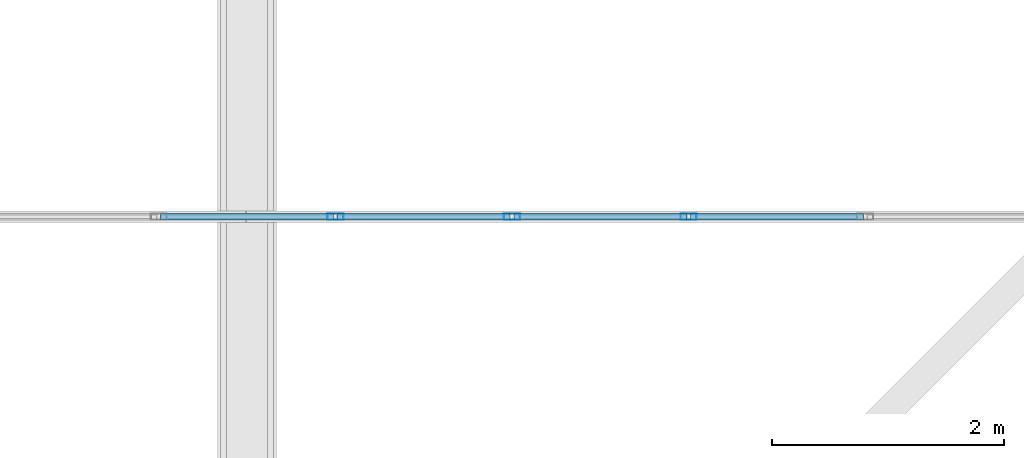
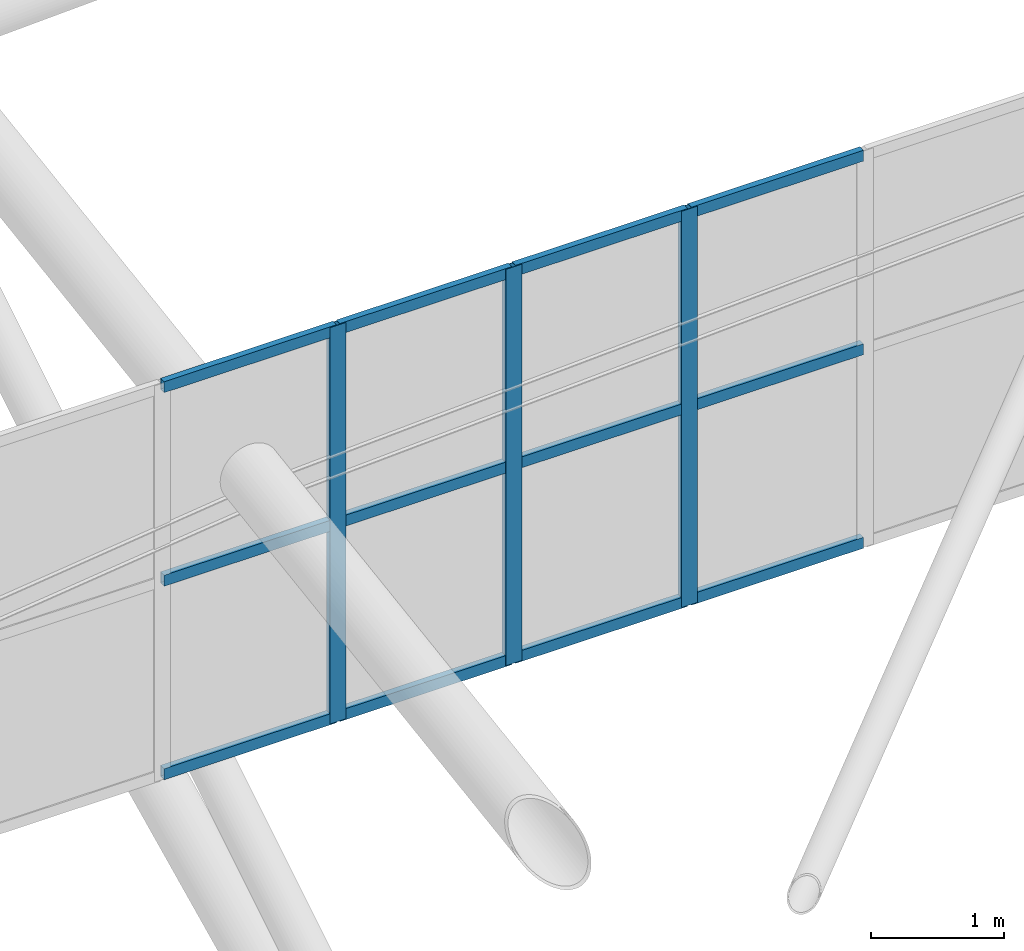
# One storey, part 34 of 397: 15 members, 1 element without a shape of its own.
"""IFC4 building model written with IfcOpenShell, lengths in metres."""

from ifc_helpers import new_model, si_unit, direction, frame, origin, origin_2d, place, context, subcontext, project, spatial, hollow_rectangle, extrude, material, material_profile, profile_set, type_object, element, aggregate, save


model = new_model("IFC4")

# Units and contexts
model_context = context("Model", 3, precision=1e-05, world=origin(), true_north=direction((0.0, 1.0)))
body_context = subcontext(model_context, "Body", "Model", "MODEL_VIEW")
ifc_project = project(units=[si_unit("LENGTHUNIT", "METRE"), si_unit("AREAUNIT", "SQUARE_METRE"), si_unit("VOLUMEUNIT", "CUBIC_METRE"), si_unit("PLANEANGLEUNIT", "RADIAN"), si_unit("MASSUNIT", "GRAM", prefix="KILO")], contexts=[model_context])

# Site, building, storey
site_placement = place(None, origin())
site = spatial("IfcSite", under=ifc_project, at=site_placement, CompositionType="ELEMENT")
building_placement = place(site_placement, origin())
building = spatial("IfcBuilding", under=site, at=building_placement, Name="Qandorah Velis Arena", CompositionType="ELEMENT")
storey_placement = place(building_placement, frame((0.0, 0.0, 27.5)))
storey = spatial("IfcBuildingStorey", under=building, at=storey_placement, Name="RF", CompositionType="ELEMENT", Elevation=27.5)

# Curtain wall, members
ifc_material_1 = material(Name="Solar-control low-E double glazing", Category="glass")
curtain_wall_type = type_object("IfcCurtainWallType", Name="ARC-CW-SYS20", PredefinedType="USERDEFINED", material=ifc_material_1)
curtain_wall_placement = place(storey_placement, origin())
curtain_wall = element("IfcCurtainWall", 1, at=curtain_wall_placement, inside=storey, type_object=curtain_wall_type, Name="Unitised curtain wall MON-3-2", ObjectType="UNITISED CURTAIN WALL", PredefinedType="USERDEFINED")
ifc_material_2 = material(Name="Champagne-bronze anodized aluminium 6063-T6", Category="aluminium")
ifc_material_profile_1 = material_profile(ifc_material_2, hollow_rectangle(XDim=0.054931640625, YDim=0.139892578125, WallThickness=0.0029296875, at=origin_2d()), Name="ALU MULLION 55x140")
ifc_profile_set_1 = profile_set([ifc_material_profile_1], Name="Champagne-bronze anodized aluminium 6063-T6")
member_type_1 = type_object("IfcMemberType", Name="ARC-CWM-140", PredefinedType="MULLION", material=ifc_profile_set_1)
member_1_placement = place(storey_placement, frame((43.961181640625, 21.60009765625, 5.337646484375), z_axis=(0.0, 0.0, 1.0), x_axis=(0.0, 1.0, 0.0)))
member_1 = element("IfcMember", 2, at=member_1_placement, type_object=member_type_1, Name="CW20 mullion 6", PredefinedType="MULLION", context=body_context, shape_type="SweptSolid", body=[
    extrude(hollow_rectangle(XDim=0.054931640625, YDim=0.139892578125, WallThickness=0.0029296875, at=origin_2d()), origin(), (0.0, 0.0, 1.0), 3.630126953125),
])
member_2_placement = place(storey_placement, frame((45.4833984375, 21.60009765625, 5.337646484375), z_axis=(0.0, 0.0, 1.0), x_axis=(0.0, 1.0, 0.0)))
member_2 = element("IfcMember", 3, at=member_2_placement, type_object=member_type_1, Name="CW20 mullion 7", PredefinedType="MULLION", context=body_context, shape_type="SweptSolid", body=[
    extrude(hollow_rectangle(XDim=0.054931640625, YDim=0.139892578125, WallThickness=0.0029296875, at=origin_2d()), origin(), (0.0, 0.0, 1.0), 3.630126953125),
])
member_3_placement = place(storey_placement, frame((47.005615234375, 21.60009765625, 5.337646484375), z_axis=(0.0, 0.0, 1.0), x_axis=(0.0, 1.0, 0.0)))
member_3 = element("IfcMember", 4, at=member_3_placement, type_object=member_type_1, Name="CW20 mullion 8", PredefinedType="MULLION", context=body_context, shape_type="SweptSolid", body=[
    extrude(hollow_rectangle(XDim=0.054931640625, YDim=0.139892578125, WallThickness=0.0029296875, at=origin_2d()), origin(), (0.0, 0.0, 1.0), 3.630126953125),
])
ifc_material_profile_2 = material_profile(ifc_material_2, hollow_rectangle(XDim=0.054931640625, YDim=0.10009765625, WallThickness=0.0029296875, at=origin_2d()), Name="ALU TRANSOM 55x100")
ifc_profile_set_2 = profile_set([ifc_material_profile_2], Name="Champagne-bronze anodized aluminium 6063-T6")
member_type_2 = type_object("IfcMemberType", Name="ARC-CWT-100", PredefinedType="USERDEFINED", material=ifc_profile_set_2)
member_4_placement = place(storey_placement, frame((42.454345703125, 21.60009765625, 5.380126953125), z_axis=(1.0, 0.0, 0.0), x_axis=(0.0, 1.0, 0.0)))
member_4 = element("IfcMember", 5, at=member_4_placement, type_object=member_type_2, Name="CW20 transom 5.1", ObjectType="TRANSOM", PredefinedType="USERDEFINED", context=body_context, shape_type="SweptSolid", body=[
    extrude(hollow_rectangle(XDim=0.054931640625, YDim=0.10009765625, WallThickness=0.0029296875, at=origin_2d()), origin(), (0.0, 0.0, 1.0), 1.4912109375),
])
member_5_placement = place(storey_placement, frame((42.454345703125, 21.60009765625, 7.152587890625), z_axis=(1.0, 0.0, 0.0), x_axis=(0.0, 1.0, 0.0)))
member_5 = element("IfcMember", 6, at=member_5_placement, type_object=member_type_2, Name="CW20 transom 5.2", ObjectType="TRANSOM", PredefinedType="USERDEFINED", context=body_context, shape_type="SweptSolid", body=[
    extrude(hollow_rectangle(XDim=0.054931640625, YDim=0.10009765625, WallThickness=0.0029296875, at=origin_2d()), origin(), (0.0, 0.0, 1.0), 1.4912109375),
])
member_6_placement = place(storey_placement, frame((42.454345703125, 21.60009765625, 8.92529296875), z_axis=(1.0, 0.0, 0.0), x_axis=(0.0, 1.0, 0.0)))
member_6 = element("IfcMember", 7, at=member_6_placement, type_object=member_type_2, Name="CW20 transom 5.3", ObjectType="TRANSOM", PredefinedType="USERDEFINED", context=body_context, shape_type="SweptSolid", body=[
    extrude(hollow_rectangle(XDim=0.054931640625, YDim=0.10009765625, WallThickness=0.0029296875, at=origin_2d()), origin(), (0.0, 0.0, 1.0), 1.4912109375),
])
member_7_placement = place(storey_placement, frame((43.9765625, 21.60009765625, 5.380126953125), z_axis=(1.0, 0.0, 0.0), x_axis=(0.0, 1.0, 0.0)))
member_7 = element("IfcMember", 8, at=member_7_placement, type_object=member_type_2, Name="CW20 transom 6.1", ObjectType="TRANSOM", PredefinedType="USERDEFINED", context=body_context, shape_type="SweptSolid", body=[
    extrude(hollow_rectangle(XDim=0.054931640625, YDim=0.10009765625, WallThickness=0.0029296875, at=origin_2d()), origin(), (0.0, 0.0, 1.0), 1.4912109375),
])
member_8_placement = place(storey_placement, frame((43.9765625, 21.60009765625, 7.152587890625), z_axis=(1.0, 0.0, 0.0), x_axis=(0.0, 1.0, 0.0)))
member_8 = element("IfcMember", 9, at=member_8_placement, type_object=member_type_2, Name="CW20 transom 6.2", ObjectType="TRANSOM", PredefinedType="USERDEFINED", context=body_context, shape_type="SweptSolid", body=[
    extrude(hollow_rectangle(XDim=0.054931640625, YDim=0.10009765625, WallThickness=0.0029296875, at=origin_2d()), origin(), (0.0, 0.0, 1.0), 1.4912109375),
])
member_9_placement = place(storey_placement, frame((43.9765625, 21.60009765625, 8.92529296875), z_axis=(1.0, 0.0, 0.0), x_axis=(0.0, 1.0, 0.0)))
member_9 = element("IfcMember", 10, at=member_9_placement, type_object=member_type_2, Name="CW20 transom 6.3", ObjectType="TRANSOM", PredefinedType="USERDEFINED", context=body_context, shape_type="SweptSolid", body=[
    extrude(hollow_rectangle(XDim=0.054931640625, YDim=0.10009765625, WallThickness=0.0029296875, at=origin_2d()), origin(), (0.0, 0.0, 1.0), 1.4912109375),
])
member_10_placement = place(storey_placement, frame((45.498779296875, 21.60009765625, 5.380126953125), z_axis=(1.0, 0.0, 0.0), x_axis=(0.0, 1.0, 0.0)))
member_10 = element("IfcMember", 11, at=member_10_placement, type_object=member_type_2, Name="CW20 transom 7.1", ObjectType="TRANSOM", PredefinedType="USERDEFINED", context=body_context, shape_type="SweptSolid", body=[
    extrude(hollow_rectangle(XDim=0.054931640625, YDim=0.10009765625, WallThickness=0.0029296875, at=origin_2d()), origin(), (0.0, 0.0, 1.0), 1.4912109375),
])
member_11_placement = place(storey_placement, frame((45.498779296875, 21.60009765625, 7.152587890625), z_axis=(1.0, 0.0, 0.0), x_axis=(0.0, 1.0, 0.0)))
member_11 = element("IfcMember", 12, at=member_11_placement, type_object=member_type_2, Name="CW20 transom 7.2", ObjectType="TRANSOM", PredefinedType="USERDEFINED", context=body_context, shape_type="SweptSolid", body=[
    extrude(hollow_rectangle(XDim=0.054931640625, YDim=0.10009765625, WallThickness=0.0029296875, at=origin_2d()), origin(), (0.0, 0.0, 1.0), 1.4912109375),
])
member_12_placement = place(storey_placement, frame((45.498779296875, 21.60009765625, 8.92529296875), z_axis=(1.0, 0.0, 0.0), x_axis=(0.0, 1.0, 0.0)))
member_12 = element("IfcMember", 13, at=member_12_placement, type_object=member_type_2, Name="CW20 transom 7.3", ObjectType="TRANSOM", PredefinedType="USERDEFINED", context=body_context, shape_type="SweptSolid", body=[
    extrude(hollow_rectangle(XDim=0.054931640625, YDim=0.10009765625, WallThickness=0.0029296875, at=origin_2d()), origin(), (0.0, 0.0, 1.0), 1.4912109375),
])
member_13_placement = place(storey_placement, frame((47.02099609375, 21.60009765625, 5.380126953125), z_axis=(1.0, 0.0, 0.0), x_axis=(0.0, 1.0, 0.0)))
member_13 = element("IfcMember", 14, at=member_13_placement, type_object=member_type_2, Name="CW20 transom 8.1", ObjectType="TRANSOM", PredefinedType="USERDEFINED", context=body_context, shape_type="SweptSolid", body=[
    extrude(hollow_rectangle(XDim=0.054931640625, YDim=0.10009765625, WallThickness=0.0029296875, at=origin_2d()), origin(), (0.0, 0.0, 1.0), 1.4912109375),
])
member_14_placement = place(storey_placement, frame((47.02099609375, 21.60009765625, 7.152587890625), z_axis=(1.0, 0.0, 0.0), x_axis=(0.0, 1.0, 0.0)))
member_14 = element("IfcMember", 15, at=member_14_placement, type_object=member_type_2, Name="CW20 transom 8.2", ObjectType="TRANSOM", PredefinedType="USERDEFINED", context=body_context, shape_type="SweptSolid", body=[
    extrude(hollow_rectangle(XDim=0.054931640625, YDim=0.10009765625, WallThickness=0.0029296875, at=origin_2d()), origin(), (0.0, 0.0, 1.0), 1.4912109375),
])
member_15_placement = place(storey_placement, frame((47.02099609375, 21.60009765625, 8.92529296875), z_axis=(1.0, 0.0, 0.0), x_axis=(0.0, 1.0, 0.0)))
member_15 = element("IfcMember", 16, at=member_15_placement, type_object=member_type_2, Name="CW20 transom 8.3", ObjectType="TRANSOM", PredefinedType="USERDEFINED", context=body_context, shape_type="SweptSolid", body=[
    extrude(hollow_rectangle(XDim=0.054931640625, YDim=0.10009765625, WallThickness=0.0029296875, at=origin_2d()), origin(), (0.0, 0.0, 1.0), 1.4912109375),
])
aggregate(curtain_wall, [member_1, member_2, member_3, member_4, member_5, member_6, member_7, member_8, member_9, member_10, member_11, member_12, member_13, member_14, member_15])

save(model, "model.ifc")
